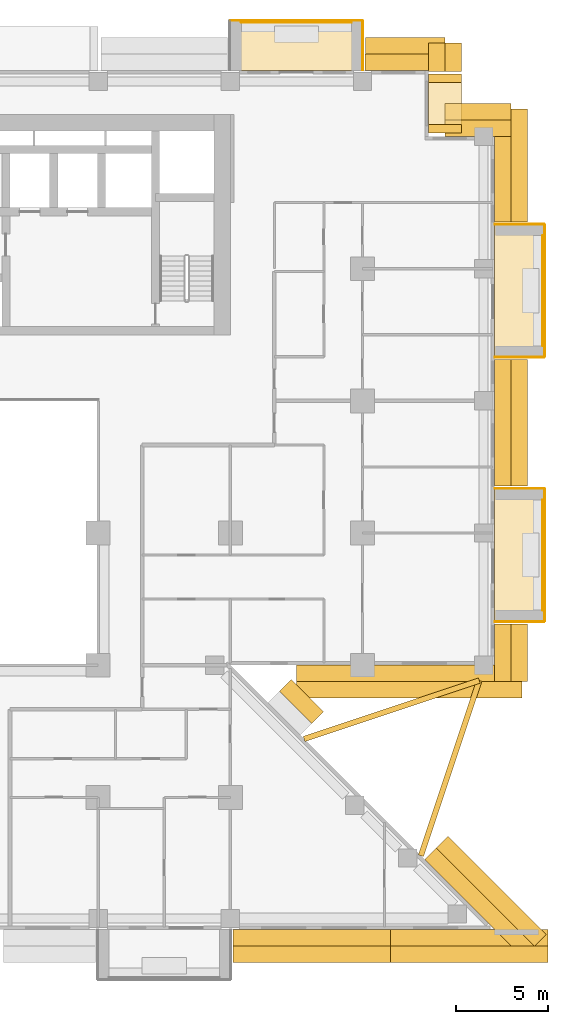
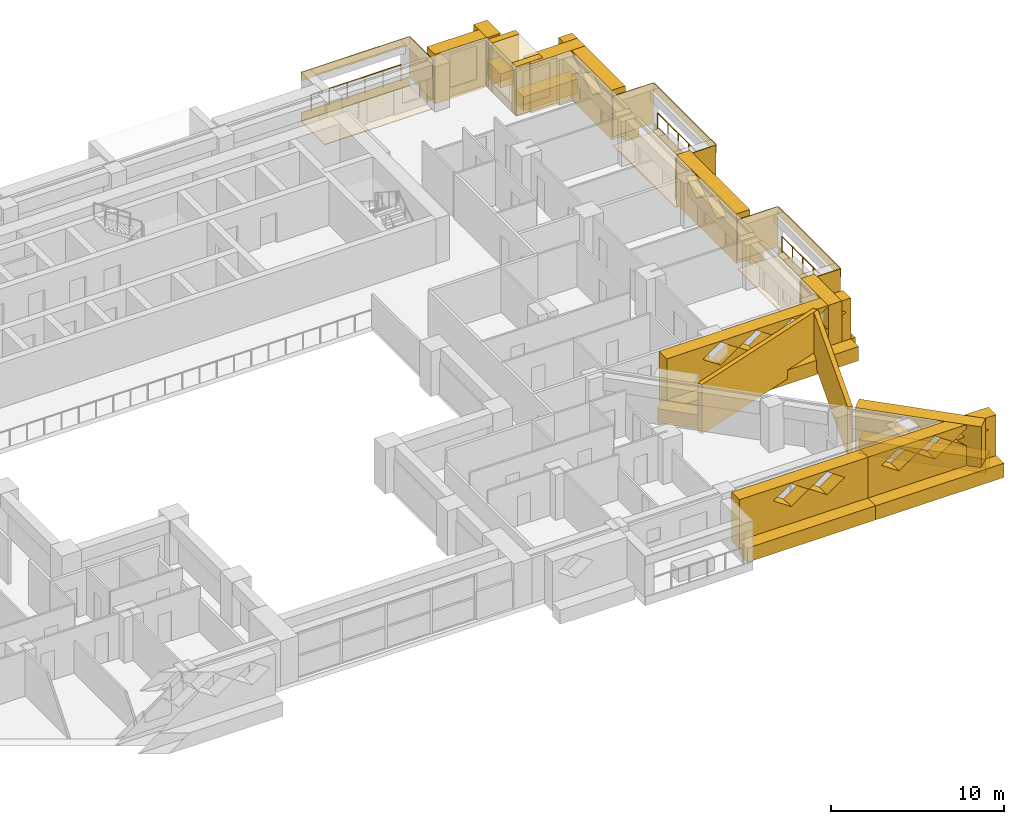
# One storey, part 17 of 17: 41 coverings, 3 railings.
"""IFC4 building model written with IfcOpenShell, lengths in metres."""

from ifc_helpers import new_model, si_unit, direction, frame, origin, origin_2d, place, context, subcontext, project, spatial, polyline, circle, outline, extrude, material, layer, layer_set, type_object, element, save


model = new_model("IFC4")

# Units and contexts
model_context = context("Model", 3, precision=1e-05, world=origin(), true_north=direction((0.0, 1.0)))
body_context = subcontext(model_context, "Body", "Model", "MODEL_VIEW")
ifc_project = project(units=[si_unit("LENGTHUNIT", "METRE"), si_unit("AREAUNIT", "SQUARE_METRE"), si_unit("VOLUMEUNIT", "CUBIC_METRE"), si_unit("PLANEANGLEUNIT", "RADIAN"), si_unit("MASSUNIT", "GRAM", prefix="KILO")], contexts=[model_context])

# Site, building, storey
site_placement = place(None, origin())
site = spatial("IfcSite", under=ifc_project, at=site_placement, CompositionType="ELEMENT")
building_placement = place(site_placement, origin())
building = spatial("IfcBuilding", under=site, at=building_placement, Name="Saffron Iwan Residences", CompositionType="ELEMENT")
storey_placement = place(building_placement, frame((0.0, 0.0, 72.5)))
storey = spatial("IfcBuildingStorey", under=building, at=storey_placement, Name="L18", CompositionType="ELEMENT", Elevation=72.5)

# Railings
ifc_material_1 = material(Name="Stainless steel 316", Category="steel")
railing_type = type_object("IfcRailingType", Name="BALCONY GUARD 1150", PredefinedType="GUARDRAIL", material=ifc_material_1)
for number, where, name in (
    (1, (89.02490234375, 51.0, 0.0), "Balcony guard L18 F2-0"),
    (2, (89.02490234375, 65.39990234375, 0.0), "Balcony guard L18 F2-1"),
):
    element("IfcRailing", number, at=place(storey_placement, frame(where)), inside=storey, type_object=railing_type, Name=name, PredefinedType="GUARDRAIL", context=body_context, shape_type="SweptSolid", body=[
        extrude(circle(Radius=0.02392578125, at=origin_2d()), frame((0.0, 0.0, 1.1259765625), z_axis=(0.0, 1.0, 0.0), x_axis=(-1.0, 0.0, 0.0)), (0.0, 0.0, 1.0), 6.0),
        extrude(circle(Radius=0.02099609375, at=origin_2d()), origin(), (0.0, 0.0, 1.0), 1.101806640625),
        extrude(circle(Radius=0.02099609375, at=origin_2d()), frame((0.0, 1.199951171875, 0.0)), (0.0, 0.0, 1.0), 1.101806640625),
        extrude(circle(Radius=0.02099609375, at=origin_2d()), frame((0.0, 2.39990234375, 0.0)), (0.0, 0.0, 1.0), 1.101806640625),
        extrude(circle(Radius=0.02099609375, at=origin_2d()), frame((0.0, 3.60009765625, 0.0)), (0.0, 0.0, 1.0), 1.101806640625),
        extrude(circle(Radius=0.02099609375, at=origin_2d()), frame((0.0, 4.800048828125, 0.0)), (0.0, 0.0, 1.0), 1.101806640625),
        extrude(circle(Radius=0.02099609375, at=origin_2d()), frame((0.0, 6.0, 0.0)), (0.0, 0.0, 1.0), 1.101806640625),
    ])
railing_placement = place(storey_placement, frame((78.60009765625, 83.02490234375, 0.0)))
element("IfcRailing", 3, at=railing_placement, inside=storey, type_object=railing_type, Name="Balcony guard L18 F5-0", PredefinedType="GUARDRAIL", context=body_context, shape_type="SweptSolid", body=[
    extrude(circle(Radius=0.02392578125, at=origin_2d()), frame((0.0, 0.0, 1.1259765625), z_axis=(-1.0, 0.0, 0.0), x_axis=(0.0, -1.0, 0.0)), (0.0, 0.0, 1.0), 6.0),
    extrude(circle(Radius=0.02099609375, at=origin_2d()), origin(), (0.0, 0.0, 1.0), 1.101806640625),
    extrude(circle(Radius=0.02099609375, at=origin_2d()), frame((-1.199951171875, 0.0, 0.0)), (0.0, 0.0, 1.0), 1.101806640625),
    extrude(circle(Radius=0.02099609375, at=origin_2d()), frame((-2.39990234375, 0.0, 0.0)), (0.0, 0.0, 1.0), 1.101806640625),
    extrude(circle(Radius=0.02099609375, at=origin_2d()), frame((-3.60009765625, 0.0, 0.0)), (0.0, 0.0, 1.0), 1.101806640625),
    extrude(circle(Radius=0.02099609375, at=origin_2d()), frame((-4.800048828125, 0.0, 0.0)), (0.0, 0.0, 1.0), 1.101806640625),
    extrude(circle(Radius=0.02099609375, at=origin_2d()), frame((-6.0, 0.0, 0.0)), (0.0, 0.0, 1.0), 1.101806640625),
])

# Coverings
ifc_material_2 = material(Name="Precast concrete C40/50 white painted", Category="concrete")
ifc_layer_1 = layer(ifc_material_2, 0.050048828125)
ifc_layer_set_1 = layer_set([ifc_layer_1], Name="Precast concrete C40/50 white painted")
covering_type_1 = type_object("IfcCoveringType", Name="FRAME SKIN PRECAST WHITE 50", PredefinedType="CLADDING", material=ifc_layer_set_1)
for number, where, name in (
    (4, (0.0, 0.0, -0.60009765625), "Frame skin slab edge L18 F2-0"),
    (5, (0.0, 0.0, 2.25), "Frame skin fascia L18 F2-0"),
):
    element("IfcCovering", number, at=place(storey_placement, frame(where)), inside=storey, type_object=covering_type_1, Name=name, PredefinedType="CLADDING", context=body_context, shape_type="SweptSolid", body=[
        extrude(outline(polyline([(89.14990234375, 50.39990234375), (89.14990234375, 57.60009765625), (89.10009765625, 57.60009765625), (89.10009765625, 50.39990234375), (89.14990234375, 50.39990234375)])), origin(), (0.0, 0.0, 1.0), 0.60009765625),
    ])
covering_1_placement = place(storey_placement, frame((0.0, 0.0, -0.64990234375)))
element("IfcCovering", 6, at=covering_1_placement, inside=storey, type_object=covering_type_1, Name="Frame skin soffit L18 F2-0", PredefinedType="CLADDING", context=body_context, shape_type="SweptSolid", body=[
    extrude(outline(polyline([(89.10009765625, 50.39990234375), (89.10009765625, 57.60009765625), (86.39990234375, 57.60009765625), (86.39990234375, 50.39990234375), (89.10009765625, 50.39990234375)])), origin(), (0.0, 0.0, 1.0), 0.0498046875),
])
covering_2_placement = place(storey_placement, origin())
element("IfcCovering", 7, at=covering_2_placement, inside=storey, type_object=covering_type_1, Name="Frame skin fin L18 F2-0a", PredefinedType="CLADDING", context=body_context, shape_type="SweptSolid", body=[
    extrude(outline(polyline([(89.10009765625, 50.35009765625), (89.10009765625, 50.39990234375), (86.39990234375, 50.39990234375), (86.39990234375, 50.35009765625), (89.10009765625, 50.35009765625)])), origin(), (0.0, 0.0, 1.0), 2.85009765625),
])
covering_3_placement = place(storey_placement, origin())
element("IfcCovering", 8, at=covering_3_placement, inside=storey, type_object=covering_type_1, Name="Frame skin fin L18 F2-0b", PredefinedType="CLADDING", context=body_context, shape_type="SweptSolid", body=[
    extrude(outline(polyline([(89.10009765625, 57.60009765625), (89.10009765625, 57.64990234375), (86.39990234375, 57.64990234375), (86.39990234375, 57.60009765625), (89.10009765625, 57.60009765625)])), origin(), (0.0, 0.0, 1.0), 2.85009765625),
])
for number, where, name in (
    (9, (0.0, 0.0, -0.60009765625), "Frame skin slab edge L18 F2-1"),
    (10, (0.0, 0.0, 2.25), "Frame skin fascia L18 F2-1"),
):
    element("IfcCovering", number, at=place(storey_placement, frame(where)), inside=storey, type_object=covering_type_1, Name=name, PredefinedType="CLADDING", context=body_context, shape_type="SweptSolid", body=[
        extrude(outline(polyline([(89.14990234375, 64.800048828125), (89.14990234375, 72.0), (89.10009765625, 72.0), (89.10009765625, 64.800048828125), (89.14990234375, 64.800048828125)])), origin(), (0.0, 0.0, 1.0), 0.60009765625),
    ])
covering_4_placement = place(storey_placement, frame((0.0, 0.0, -0.64990234375)))
element("IfcCovering", 11, at=covering_4_placement, inside=storey, type_object=covering_type_1, Name="Frame skin soffit L18 F2-1", PredefinedType="CLADDING", context=body_context, shape_type="SweptSolid", body=[
    extrude(outline(polyline([(89.10009765625, 64.800048828125), (89.10009765625, 72.0), (86.39990234375, 72.0), (86.39990234375, 64.800048828125), (89.10009765625, 64.800048828125)])), origin(), (0.0, 0.0, 1.0), 0.0498046875),
])
covering_5_placement = place(storey_placement, origin())
element("IfcCovering", 12, at=covering_5_placement, inside=storey, type_object=covering_type_1, Name="Frame skin fin L18 F2-1a", PredefinedType="CLADDING", context=body_context, shape_type="SweptSolid", body=[
    extrude(outline(polyline([(89.10009765625, 64.75), (89.10009765625, 64.800048828125), (86.39990234375, 64.800048828125), (86.39990234375, 64.75), (89.10009765625, 64.75)])), origin(), (0.0, 0.0, 1.0), 2.85009765625),
])
covering_6_placement = place(storey_placement, origin())
element("IfcCovering", 13, at=covering_6_placement, inside=storey, type_object=covering_type_1, Name="Frame skin fin L18 F2-1b", PredefinedType="CLADDING", context=body_context, shape_type="SweptSolid", body=[
    extrude(outline(polyline([(89.10009765625, 72.0), (89.10009765625, 72.050048828125), (86.39990234375, 72.050048828125), (86.39990234375, 72.0), (89.10009765625, 72.0)])), origin(), (0.0, 0.0, 1.0), 2.85009765625),
])
for number, where, name in (
    (14, (0.0, 0.0, -0.60009765625), "Frame skin slab edge L18 F5-0"),
    (15, (0.0, 0.0, 2.25), "Frame skin fascia L18 F5-0"),
):
    element("IfcCovering", number, at=place(storey_placement, frame(where)), inside=storey, type_object=covering_type_1, Name=name, PredefinedType="CLADDING", context=body_context, shape_type="SweptSolid", body=[
        extrude(outline(polyline([(79.199951171875, 83.14990234375), (72.0, 83.14990234375), (72.0, 83.10009765625), (79.199951171875, 83.10009765625), (79.199951171875, 83.14990234375)])), origin(), (0.0, 0.0, 1.0), 0.60009765625),
    ])
covering_7_placement = place(storey_placement, frame((0.0, 0.0, -0.64990234375)))
element("IfcCovering", 16, at=covering_7_placement, inside=storey, type_object=covering_type_1, Name="Frame skin soffit L18 F5-0", PredefinedType="CLADDING", context=body_context, shape_type="SweptSolid", body=[
    extrude(outline(polyline([(79.199951171875, 83.10009765625), (72.0, 83.10009765625), (72.0, 80.39990234375), (79.199951171875, 80.39990234375), (79.199951171875, 83.10009765625)])), origin(), (0.0, 0.0, 1.0), 0.0498046875),
])
covering_8_placement = place(storey_placement, origin())
element("IfcCovering", 17, at=covering_8_placement, inside=storey, type_object=covering_type_1, Name="Frame skin fin L18 F5-0a", PredefinedType="CLADDING", context=body_context, shape_type="SweptSolid", body=[
    extrude(outline(polyline([(79.25, 83.10009765625), (79.199951171875, 83.10009765625), (79.199951171875, 80.39990234375), (79.25, 80.39990234375), (79.25, 83.10009765625)])), origin(), (0.0, 0.0, 1.0), 2.85009765625),
])
ifc_material_3 = material(Name="Precast concrete C40/50", Category="concrete")
covering_type_2 = type_object("IfcCoveringType", Name="OUTER SKIN LATTICE SCREEN", PredefinedType="CLADDING", material=ifc_material_3)
covering_9_placement = place(storey_placement, frame((87.939453125, 32.060546875, -0.320068359375), z_axis=(0.706971125213, 0.70724241114, 0.0), x_axis=(-0.70724241114, 0.706971125213, 0.0)))
element("IfcCovering", 18, at=covering_9_placement, inside=storey, type_object=covering_type_2, Name="OUTER SKIN lattice screen L18 F0.0", PredefinedType="CLADDING", context=body_context, shape_type="SweptSolid", body=[
    extrude(outline(polyline([(0.0, 0.0), (7.559326171875, 0.0), (7.559326171875, 3.5), (0.0, 3.5), (0.0, 0.0)]), holes=[polyline([(0.9970703125, 2.625), (2.177001953125, 1.81005859375), (3.357177734375, 2.625), (2.177001953125, 3.43994140625), (0.9970703125, 2.625)]), polyline([(3.397216796875, 2.625), (4.5771484375, 1.81005859375), (5.757080078125, 2.625), (4.5771484375, 3.43994140625), (3.397216796875, 2.625)])]), origin(), (0.0, 0.0, 1.0), 0.89990234375),
])
covering_10_placement = place(storey_placement, frame((75.6171875, 48.0, -0.320068359375), z_axis=(0.0, -1.0, 0.0), x_axis=(1.0, 0.0, 0.0)))
element("IfcCovering", 19, at=covering_10_placement, inside=storey, type_object=covering_type_2, Name="OUTER SKIN lattice screen L18 F1.0", PredefinedType="CLADDING", context=body_context, shape_type="SweptSolid", body=[
    extrude(outline(polyline([(0.0, 0.0), (12.282958984375, 0.0), (12.282958984375, 3.5), (0.0, 3.5), (0.0, 0.0)]), holes=[polyline([(2.40283203125, 2.625), (3.5830078125, 1.81005859375), (4.762939453125, 2.625), (3.5830078125, 3.43994140625), (2.40283203125, 2.625)]), polyline([(4.802978515625, 2.625), (5.98291015625, 1.81005859375), (7.162841796875, 2.625), (5.98291015625, 3.43994140625), (4.802978515625, 2.625)]), polyline([(7.202880859375, 2.625), (8.3828125, 1.81005859375), (9.56298828125, 2.625), (8.3828125, 3.43994140625), (7.202880859375, 2.625)]), polyline([(9.602783203125, 2.625), (10.782958984375, 1.81005859375), (11.962890625, 2.625), (10.782958984375, 3.43994140625), (9.602783203125, 2.625)])]), origin(), (0.0, 0.0, 1.0), 0.89990234375),
])
covering_11_placement = place(storey_placement, frame((86.39990234375, 47.10009765625, -0.320068359375), z_axis=(1.0, 0.0, 0.0), x_axis=(0.0, 1.0, 0.0)))
element("IfcCovering", 20, at=covering_11_placement, inside=storey, type_object=covering_type_2, Name="OUTER SKIN lattice screen L18 F2.0", PredefinedType="CLADDING", context=body_context, shape_type="SweptSolid", body=[
    extrude(outline(polyline([(0.0, 0.0), (3.14990234375, 0.0), (3.14990234375, 3.5), (0.0, 3.5), (0.0, 0.0)])), origin(), (0.0, 0.0, 1.0), 0.900146484375),
])
covering_12_placement = place(storey_placement, frame((86.39990234375, 57.75, -0.320068359375), z_axis=(1.0, 0.0, 0.0), x_axis=(0.0, 1.0, 0.0)))
element("IfcCovering", 21, at=covering_12_placement, inside=storey, type_object=covering_type_2, Name="OUTER SKIN lattice screen L18 F2.1", PredefinedType="CLADDING", context=body_context, shape_type="SweptSolid", body=[
    extrude(outline(polyline([(0.0, 0.0), (6.89990234375, 0.0), (6.89990234375, 3.5), (0.0, 3.5), (0.0, 0.0)]), holes=[polyline([(1.070068359375, 2.625), (2.25, 1.81005859375), (3.429931640625, 2.625), (2.25, 3.43994140625), (1.070068359375, 2.625)]), polyline([(3.469970703125, 2.625), (4.64990234375, 1.81005859375), (5.830078125, 2.625), (4.64990234375, 3.43994140625), (3.469970703125, 2.625)])]), origin(), (0.0, 0.0, 1.0), 0.900146484375),
])
covering_13_placement = place(storey_placement, frame((86.39990234375, 72.14990234375, -0.320068359375), z_axis=(1.0, 0.0, 0.0), x_axis=(0.0, 1.0, 0.0)))
element("IfcCovering", 22, at=covering_13_placement, inside=storey, type_object=covering_type_2, Name="OUTER SKIN lattice screen L18 F2.2", PredefinedType="CLADDING", context=body_context, shape_type="SweptSolid", body=[
    extrude(outline(polyline([(0.0, 0.0), (6.14990234375, 0.0), (6.14990234375, 3.5), (0.0, 3.5), (0.0, 0.0)]), holes=[polyline([(1.070068359375, 2.625), (2.25, 1.81005859375), (3.429931640625, 2.625), (2.25, 3.43994140625), (1.070068359375, 2.625)]), polyline([(3.469970703125, 2.625), (4.64990234375, 1.81005859375), (5.830078125, 2.625), (4.64990234375, 3.43994140625), (3.469970703125, 2.625)])]), origin(), (0.0, 0.0, 1.0), 0.900146484375),
])
covering_14_placement = place(storey_placement, frame((87.300048828125, 76.800048828125, -0.320068359375), z_axis=(0.0, 1.0, 0.0), x_axis=(-1.0, 0.0, 0.0)))
element("IfcCovering", 23, at=covering_14_placement, inside=storey, type_object=covering_type_2, Name="OUTER SKIN lattice screen L18 F3.0", PredefinedType="CLADDING", context=body_context, shape_type="SweptSolid", body=[
    extrude(outline(polyline([(0.0, 0.0), (3.60009765625, 0.0), (3.60009765625, 3.5), (0.0, 3.5), (0.0, 0.0)])), origin(), (0.0, 0.0, 1.0), 0.89990234375),
])
covering_15_placement = place(storey_placement, frame((82.800048828125, 80.35009765625, -0.320068359375), z_axis=(1.0, 0.0, 0.0), x_axis=(0.0, 1.0, 0.0)))
element("IfcCovering", 24, at=covering_15_placement, inside=storey, type_object=covering_type_2, Name="OUTER SKIN lattice screen L18 F4.0", PredefinedType="CLADDING", context=body_context, shape_type="SweptSolid", body=[
    extrude(outline(polyline([(0.0, 0.0), (1.550048828125, 0.0), (1.550048828125, 3.5), (0.0, 3.5), (0.0, 0.0)])), origin(), (0.0, 0.0, 1.0), 0.89990234375),
])
covering_16_placement = place(storey_placement, frame((83.699951171875, 80.39990234375, -0.320068359375), z_axis=(0.0, 1.0, 0.0), x_axis=(-1.0, 0.0, 0.0)))
element("IfcCovering", 25, at=covering_16_placement, inside=storey, type_object=covering_type_2, Name="OUTER SKIN lattice screen L18 F5.0", PredefinedType="CLADDING", context=body_context, shape_type="SweptSolid", body=[
    extrude(outline(polyline([(0.0, 0.0), (4.35009765625, 0.0), (4.35009765625, 3.5), (0.0, 3.5), (0.0, 0.0)])), origin(), (0.0, 0.0, 1.0), 0.900146484375),
])
covering_17_placement = place(storey_placement, frame((72.14990234375, 33.60009765625, -0.320068359375), z_axis=(0.0, -1.0, 0.0), x_axis=(1.0, 0.0, 0.0)))
element("IfcCovering", 26, at=covering_17_placement, inside=storey, type_object=covering_type_2, Name="OUTER SKIN lattice screen L18 F11.3", PredefinedType="CLADDING", context=body_context, shape_type="SweptSolid", body=[
    extrude(outline(polyline([(0.0, 0.0), (8.573486328125, 0.0), (8.573486328125, 3.5), (0.0, 3.5), (0.0, 0.0)]), holes=[polyline([(2.27001953125, 2.625), (3.449951171875, 1.81005859375), (4.6298828125, 2.625), (3.449951171875, 3.43994140625), (2.27001953125, 2.625)]), polyline([(4.669921875, 2.625), (5.85009765625, 1.81005859375), (7.030029296875, 2.625), (5.85009765625, 3.43994140625), (4.669921875, 2.625)])]), origin(), (0.0, 0.0, 1.0), 0.900146484375),
])
covering_18_placement = place(storey_placement, frame((80.7236328125, 33.60009765625, -0.320068359375), z_axis=(0.0, -1.0, 0.0), x_axis=(1.0, 0.0, 0.0)))
element("IfcCovering", 27, at=covering_18_placement, inside=storey, type_object=covering_type_2, Name="OUTER SKIN lattice screen L18 F11.4", PredefinedType="CLADDING", context=body_context, shape_type="SweptSolid", body=[
    extrude(outline(polyline([(0.0, 0.0), (8.573486328125, 0.0), (8.573486328125, 3.5), (0.0, 3.5), (0.0, 0.0)]), holes=[polyline([(0.896484375, 2.625), (2.076416015625, 1.81005859375), (3.25634765625, 2.625), (2.076416015625, 3.43994140625), (0.896484375, 2.625)]), polyline([(3.29638671875, 2.625), (4.476318359375, 1.81005859375), (5.656494140625, 2.625), (4.476318359375, 3.43994140625), (3.29638671875, 2.625)]), polyline([(5.696533203125, 2.625), (6.87646484375, 1.81005859375), (8.056396484375, 2.625), (6.87646484375, 3.43994140625), (5.696533203125, 2.625)])]), origin(), (0.0, 0.0, 1.0), 0.900146484375),
])
ifc_layer_2 = layer(ifc_material_2, 0.300048828125)
ifc_layer_set_2 = layer_set([ifc_layer_2], Name="Precast concrete C40/50 white painted")
covering_type_3 = type_object("IfcCoveringType", Name="PROW NOSE BLADE PRECAST WHITE", PredefinedType="CLADDING", material=ifc_layer_set_2)
covering_19_placement = place(storey_placement, frame((0.0, 0.0, -0.320068359375)))
element("IfcCovering", 28, at=covering_19_placement, inside=storey, type_object=covering_type_3, Name="Prow nose blade L18 a", PredefinedType="CLADDING", context=body_context, shape_type="SweptSolid", body=[
    extrude(outline(polyline([(82.5244140625, 37.570556640625), (85.706298828125, 47.116455078125), (85.421630859375, 47.21142578125), (82.23974609375, 37.66552734375), (82.5244140625, 37.570556640625)])), origin(), (0.0, 0.0, 1.0), 3.5),
])
covering_20_placement = place(storey_placement, frame((0.0, 0.0, -0.320068359375)))
element("IfcCovering", 29, at=covering_20_placement, inside=storey, type_object=covering_type_3, Name="Prow nose blade L18 b", PredefinedType="CLADDING", context=body_context, shape_type="SweptSolid", body=[
    extrude(outline(polyline([(76.0654296875, 43.839599609375), (85.611328125, 47.021728515625), (85.5166015625, 47.306396484375), (75.970703125, 44.124267578125), (76.0654296875, 43.839599609375)])), origin(), (0.0, 0.0, 1.0), 3.5),
])
ifc_layer_3 = layer(ifc_material_2, 0.89990234375)
ifc_layer_set_3 = layer_set([ifc_layer_3], Name="Precast concrete C40/50 white painted")
covering_type_4 = type_object("IfcCoveringType", Name="WHITE EDGE BAND 900 x 1000", PredefinedType="CLADDING", material=ifc_layer_set_3)
covering_21_placement = place(storey_placement, frame((0.0, 0.0, -0.699951171875)))
element("IfcCovering", 30, at=covering_21_placement, inside=storey, type_object=covering_type_4, Name="White edge band L18 F0.0", PredefinedType="CLADDING", context=body_context, shape_type="SweptSolid", body=[
    extrude(outline(polyline([(89.212158203125, 33.33349609375), (83.866943359375, 38.6787109375), (83.23046875, 38.042236328125), (88.57568359375, 32.697021484375), (89.212158203125, 33.33349609375)])), origin(), (0.0, 0.0, 1.0), 1.0),
])
covering_22_placement = place(storey_placement, frame((0.0, 0.0, -0.699951171875)))
element("IfcCovering", 31, at=covering_22_placement, inside=storey, type_object=covering_type_4, Name="White edge band L18 F0.1", PredefinedType="CLADDING", context=body_context, shape_type="SweptSolid", body=[
    extrude(outline(polyline([(77.07861328125, 45.466796875), (75.3212890625, 47.224365234375), (74.684814453125, 46.587890625), (76.4423828125, 44.83056640625), (77.07861328125, 45.466796875)])), origin(), (0.0, 0.0, 1.0), 1.0),
])
covering_23_placement = place(storey_placement, frame((0.0, 0.0, -0.699951171875)))
element("IfcCovering", 32, at=covering_23_placement, inside=storey, type_object=covering_type_4, Name="White edge band L18 F1.0", PredefinedType="CLADDING", context=body_context, shape_type="SweptSolid", body=[
    extrude(outline(polyline([(75.6171875, 46.199951171875), (87.89990234375, 46.199951171875), (87.89990234375, 47.10009765625), (75.6171875, 47.10009765625), (75.6171875, 46.199951171875)])), origin(), (0.0, 0.0, 1.0), 1.0),
])
covering_24_placement = place(storey_placement, frame((0.0, 0.0, -0.699951171875)))
element("IfcCovering", 33, at=covering_24_placement, inside=storey, type_object=covering_type_4, Name="White edge band L18 F2.0", PredefinedType="CLADDING", context=body_context, shape_type="SweptSolid", body=[
    extrude(outline(polyline([(88.199951171875, 47.10009765625), (88.199951171875, 50.25), (87.300048828125, 50.25), (87.300048828125, 47.10009765625), (88.199951171875, 47.10009765625)])), origin(), (0.0, 0.0, 1.0), 1.0),
])
covering_25_placement = place(storey_placement, frame((0.0, 0.0, -0.699951171875)))
element("IfcCovering", 34, at=covering_25_placement, inside=storey, type_object=covering_type_4, Name="White edge band L18 F2.1", PredefinedType="CLADDING", context=body_context, shape_type="SweptSolid", body=[
    extrude(outline(polyline([(88.199951171875, 57.75), (88.199951171875, 64.64990234375), (87.300048828125, 64.64990234375), (87.300048828125, 57.75), (88.199951171875, 57.75)])), origin(), (0.0, 0.0, 1.0), 1.0),
])
covering_26_placement = place(storey_placement, frame((0.0, 0.0, -0.699951171875)))
element("IfcCovering", 35, at=covering_26_placement, inside=storey, type_object=covering_type_4, Name="White edge band L18 F2.2", PredefinedType="CLADDING", context=body_context, shape_type="SweptSolid", body=[
    extrude(outline(polyline([(88.199951171875, 72.14990234375), (88.199951171875, 78.300048828125), (87.300048828125, 78.300048828125), (87.300048828125, 72.14990234375), (88.199951171875, 72.14990234375)])), origin(), (0.0, 0.0, 1.0), 1.0),
])
covering_27_placement = place(storey_placement, frame((0.0, 0.0, -0.699951171875)))
element("IfcCovering", 36, at=covering_27_placement, inside=storey, type_object=covering_type_4, Name="White edge band L18 F3.0", PredefinedType="CLADDING", context=body_context, shape_type="SweptSolid", body=[
    extrude(outline(polyline([(87.300048828125, 78.60009765625), (83.699951171875, 78.60009765625), (83.699951171875, 77.699951171875), (87.300048828125, 77.699951171875), (87.300048828125, 78.60009765625)])), origin(), (0.0, 0.0, 1.0), 1.0),
])
covering_28_placement = place(storey_placement, frame((0.0, 0.0, -0.699951171875)))
element("IfcCovering", 37, at=covering_28_placement, inside=storey, type_object=covering_type_4, Name="White edge band L18 F4.0", PredefinedType="CLADDING", context=body_context, shape_type="SweptSolid", body=[
    extrude(outline(polyline([(84.60009765625, 80.35009765625), (84.60009765625, 81.89990234375), (83.699951171875, 81.89990234375), (83.699951171875, 80.35009765625), (84.60009765625, 80.35009765625)])), origin(), (0.0, 0.0, 1.0), 1.0),
])
covering_29_placement = place(storey_placement, frame((0.0, 0.0, -0.699951171875)))
element("IfcCovering", 38, at=covering_29_placement, inside=storey, type_object=covering_type_4, Name="White edge band L18 F5.0", PredefinedType="CLADDING", context=body_context, shape_type="SweptSolid", body=[
    extrude(outline(polyline([(83.699951171875, 82.199951171875), (79.35009765625, 82.199951171875), (79.35009765625, 81.300048828125), (83.699951171875, 81.300048828125), (83.699951171875, 82.199951171875)])), origin(), (0.0, 0.0, 1.0), 1.0),
])
covering_30_placement = place(storey_placement, frame((0.0, 0.0, -0.699951171875)))
element("IfcCovering", 39, at=covering_30_placement, inside=storey, type_object=covering_type_4, Name="White edge band L18 F11.3", PredefinedType="CLADDING", context=body_context, shape_type="SweptSolid", body=[
    extrude(outline(polyline([(72.14990234375, 31.800048828125), (80.7236328125, 31.800048828125), (80.7236328125, 32.699951171875), (72.14990234375, 32.699951171875), (72.14990234375, 31.800048828125)])), origin(), (0.0, 0.0, 1.0), 1.0),
])
covering_31_placement = place(storey_placement, frame((0.0, 0.0, -0.699951171875)))
element("IfcCovering", 40, at=covering_31_placement, inside=storey, type_object=covering_type_4, Name="White edge band L18 F11.4", PredefinedType="CLADDING", context=body_context, shape_type="SweptSolid", body=[
    extrude(outline(polyline([(80.7236328125, 31.800048828125), (89.297119140625, 31.800048828125), (89.297119140625, 32.699951171875), (80.7236328125, 32.699951171875), (80.7236328125, 31.800048828125)])), origin(), (0.0, 0.0, 1.0), 1.0),
])
covering_type_5 = type_object("IfcCoveringType", Name="WHITE SUN FRAME PRECAST", PredefinedType="CLADDING", material=ifc_material_2)
for number, where, z_axis, x_axis, name in (
    (41, (82.800048828125, 77.0, -0.320068359375), (1.0, 0.0, 0.0), (0.0, 1.0, 0.0), "Sun frame L18 F4 0.2a"),
    (42, (82.800048828125, 79.75, -0.320068359375), (1.0, 0.0, 0.0), (0.0, 1.0, 0.0), "Sun frame L18 F4 0.2b"),
):
    element("IfcCovering", number, at=place(storey_placement, frame(where, z_axis=z_axis, x_axis=x_axis)), inside=storey, type_object=covering_type_5, Name=name, PredefinedType="CLADDING", context=body_context, shape_type="SweptSolid", body=[
        extrude(outline(polyline([(0.0, 0.0), (0.449951171875, 0.0), (0.449951171875, 3.5), (0.0, 3.5), (0.0, 0.0)])), origin(), (0.0, 0.0, 1.0), 1.800048828125),
    ])
for number, where, z_axis, x_axis, name in (
    (43, (82.800048828125, 77.449951171875, 2.580078125), (1.0, 0.0, 0.0), (0.0, 1.0, 0.0), "Sun frame L18 F4 0.2h"),
    (44, (82.800048828125, 77.449951171875, -0.320068359375), (1.0, 0.0, 0.0), (0.0, 1.0, 0.0), "Sun frame L18 F4 0.2s"),
):
    element("IfcCovering", number, at=place(storey_placement, frame(where, z_axis=z_axis, x_axis=x_axis)), inside=storey, type_object=covering_type_5, Name=name, PredefinedType="CLADDING", context=body_context, shape_type="SweptSolid", body=[
        extrude(outline(polyline([(0.0, 0.0), (2.300048828125, 0.0), (2.300048828125, 0.60009765625), (0.0, 0.60009765625), (0.0, 0.0)])), origin(), (0.0, 0.0, 1.0), 1.800048828125),
    ])

save(model, "model.ifc")
